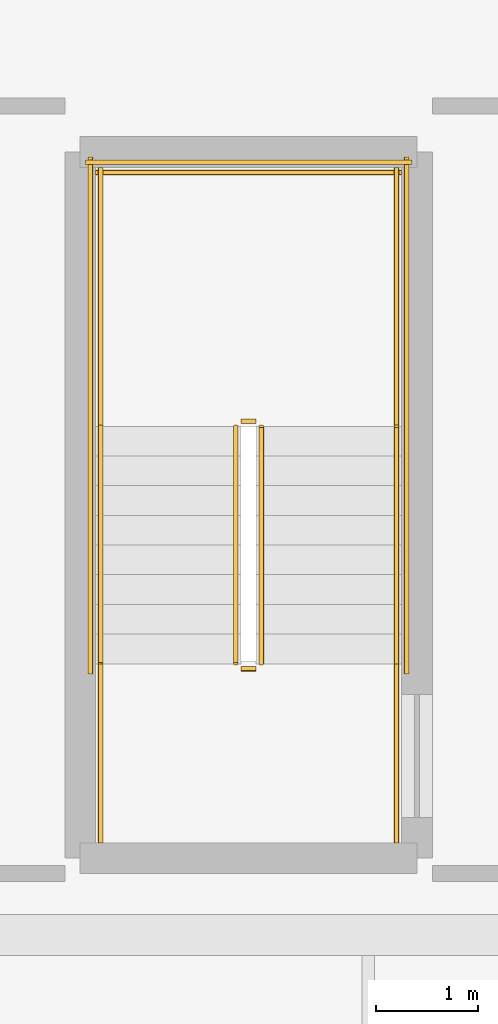
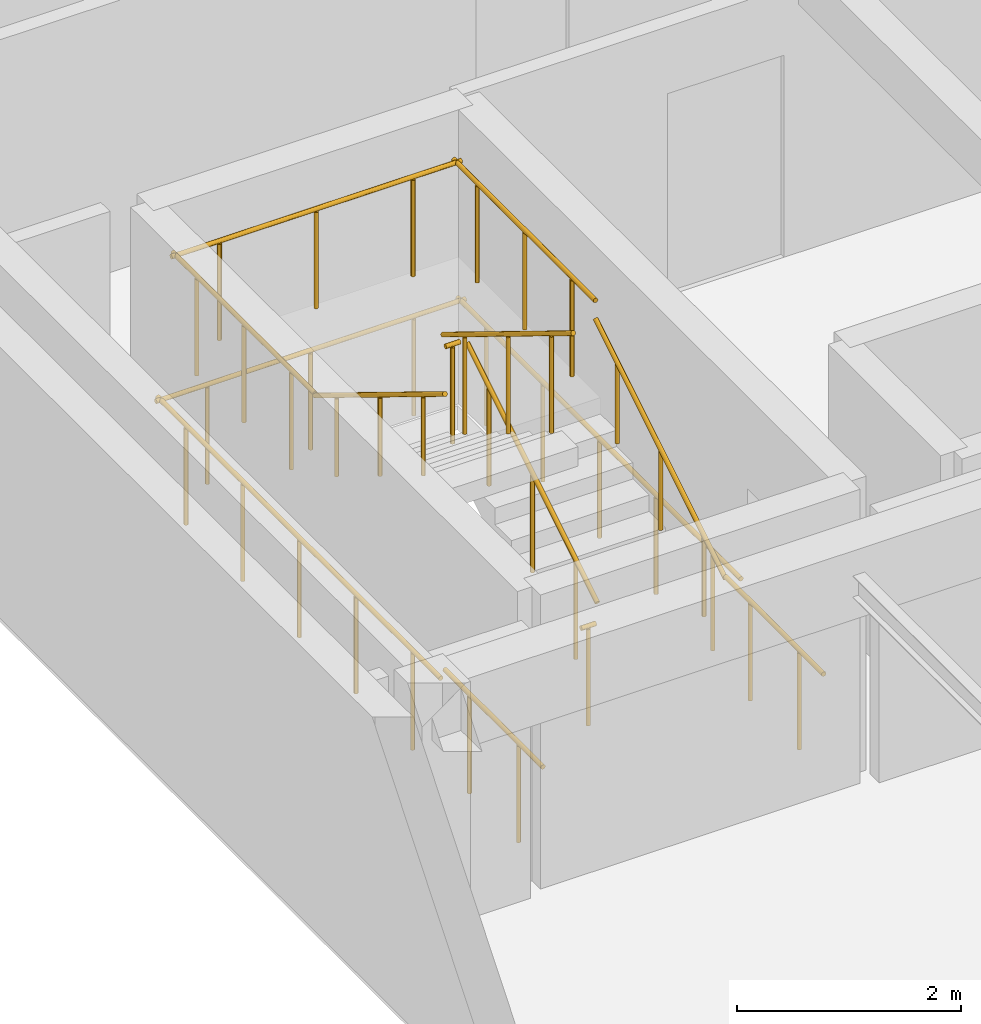
# One storey, part 69 of 89: 14 railings.
"""IFC4 building model written with IfcOpenShell, lengths in metres."""

from ifc_helpers import new_model, si_unit, direction, frame, origin, origin_2d, place, context, subcontext, project, spatial, circle, extrude, material, type_object, element, save


model = new_model("IFC4")

# Units and contexts
model_context = context("Model", 3, precision=1e-05, world=origin(), true_north=direction((0.0, 1.0)))
body_context = subcontext(model_context, "Body", "Model", "MODEL_VIEW")
ifc_project = project(units=[si_unit("LENGTHUNIT", "METRE"), si_unit("AREAUNIT", "SQUARE_METRE"), si_unit("VOLUMEUNIT", "CUBIC_METRE"), si_unit("PLANEANGLEUNIT", "RADIAN"), si_unit("MASSUNIT", "GRAM", prefix="KILO")], contexts=[model_context])

# Site, building, storey
site_placement = place(None, origin())
site = spatial("IfcSite", under=ifc_project, at=site_placement, CompositionType="ELEMENT")
building_placement = place(site_placement, origin())
building = spatial("IfcBuilding", under=site, at=building_placement, Name="Keldmere Railside Commons", CompositionType="ELEMENT")
storey_placement = place(building_placement, frame((0.0, 0.0, 7.360107421875)))
storey = spatial("IfcBuildingStorey", under=building, at=storey_placement, Name="L02", CompositionType="ELEMENT", Elevation=7.360107421875)

# Railings
ifc_material = material(Name="Steel F-24 (S235)", Category="steel")
railing_type_1 = type_object("IfcRailingType", Name="Stair Well Steel Guardrail 1100", PredefinedType="BALUSTRADE", material=ifc_material)
railing_1_placement = place(storey_placement, frame((131.679931640625, 22.050048828125, 0.177734375)))
element("IfcRailing", 1, at=railing_1_placement, inside=storey, type_object=railing_type_1, Name="L02 ST-M1 stair guard 1", PredefinedType="BALUSTRADE", context=body_context, shape_type="SweptSolid", body=[
    extrude(circle(Radius=0.02392578125, at=origin_2d()), frame((0.0, 0.0, 1.076171875), z_axis=(0.0, 0.852578041948, 0.522599925744), x_axis=(-1.0, 0.0, 0.0)), (0.0, 0.0, 1.0), 2.72119140625),
    extrude(circle(Radius=0.02099609375, at=origin_2d()), frame((0.0, 0.38671875, 0.237060546875)), (0.0, 0.0, 1.0), 1.048095703125),
    extrude(circle(Radius=0.02099609375, at=origin_2d()), frame((0.0, 1.16015625, 0.7109375)), (0.0, 0.0, 1.0), 1.048095703125),
    extrude(circle(Radius=0.02099609375, at=origin_2d()), frame((0.0, 1.933349609375, 1.18505859375)), (0.0, 0.0, 1.0), 1.048095703125),
])
railing_2_placement = place(storey_placement, frame((131.6298828125, 24.419921875, 1.599853515625)))
element("IfcRailing", 2, at=railing_2_placement, inside=storey, type_object=railing_type_1, Name="L02 ST-M1 stair guard 2", PredefinedType="BALUSTRADE", context=body_context, shape_type="SweptSolid", body=[
    extrude(circle(Radius=0.02392578125, at=origin_2d()), frame((0.0, 0.0, 1.076171875), z_axis=(-1.0, 0.0, 0.0), x_axis=(0.0, -1.0, 0.0)), (0.0, 0.0, 1.0), 0.14990234375),
    extrude(circle(Radius=0.02099609375, at=origin_2d()), frame((-0.074951171875, 0.0, 0.0)), (0.0, 0.0, 1.0), 1.048095703125),
])
for number, where, name in (
    (3, (133.0, 24.3701171875, 1.599853515625), "L02 ST-M1 stair guard 3"),
    (4, (130.110107421875, 24.3701171875, 1.599853515625), "L02 ST-M1 stair guard 4"),
):
    element("IfcRailing", number, at=place(storey_placement, frame(where)), inside=storey, type_object=railing_type_1, Name=name, PredefinedType="BALUSTRADE", context=body_context, shape_type="SweptSolid", body=[
        extrude(circle(Radius=0.02392578125, at=origin_2d()), frame((0.0, 0.0, 1.076171875), z_axis=(0.0, 1.0, 0.0), x_axis=(-1.0, 0.0, 0.0)), (0.0, 0.0, 1.0), 2.52978515625),
        extrude(circle(Radius=0.02099609375, at=origin_2d()), frame((0.0, 0.421630859375, 0.0)), (0.0, 0.0, 1.0), 1.048095703125),
        extrude(circle(Radius=0.02099609375, at=origin_2d()), frame((0.0, 1.264892578125, 0.0)), (0.0, 0.0, 1.0), 1.048095703125),
        extrude(circle(Radius=0.02099609375, at=origin_2d()), frame((0.0, 2.108154296875, 0.0)), (0.0, 0.0, 1.0), 1.048095703125),
    ])
railing_3_placement = place(storey_placement, frame((133.050048828125, 26.85009765625, 1.599853515625)))
element("IfcRailing", 5, at=railing_3_placement, inside=storey, type_object=railing_type_1, Name="L02 ST-M1 stair guard 5", PredefinedType="BALUSTRADE", context=body_context, shape_type="SweptSolid", body=[
    extrude(circle(Radius=0.02392578125, at=origin_2d()), frame((0.0, 0.0, 1.076171875), z_axis=(-1.0, 0.0, 0.0), x_axis=(0.0, -1.0, 0.0)), (0.0, 0.0, 1.0), 2.989990234375),
    extrude(circle(Radius=0.02099609375, at=origin_2d()), frame((-0.498291015625, 0.0, 0.0)), (0.0, 0.0, 1.0), 1.048095703125),
    extrude(circle(Radius=0.02099609375, at=origin_2d()), frame((-1.4951171875, 0.0, 0.0)), (0.0, 0.0, 1.0), 1.048095703125),
    extrude(circle(Radius=0.02099609375, at=origin_2d()), frame((-2.49169921875, 0.0, 0.0)), (0.0, 0.0, 1.0), 1.048095703125),
])
railing_4_placement = place(storey_placement, frame((131.429931640625, 24.3701171875, 1.777587890625)))
element("IfcRailing", 6, at=railing_4_placement, inside=storey, type_object=railing_type_1, Name="L02 ST-M1 stair guard 6", PredefinedType="BALUSTRADE", context=body_context, shape_type="SweptSolid", body=[
    extrude(circle(Radius=0.02392578125, at=origin_2d()), frame((0.0, 0.0, 1.076171875), z_axis=(0.0, -0.852538067394, 0.522665135287), x_axis=(1.0, 0.0, 0.0)), (0.0, 0.0, 1.0), 2.721435546875),
    extrude(circle(Radius=0.02099609375, at=origin_2d()), frame((0.0, -0.38671875, 0.237060546875)), (0.0, 0.0, 1.0), 1.048095703125),
    extrude(circle(Radius=0.02099609375, at=origin_2d()), frame((0.0, -1.16015625, 0.711181640625)), (0.0, 0.0, 1.0), 1.048095703125),
    extrude(circle(Radius=0.02099609375, at=origin_2d()), frame((0.0, -1.933349609375, 1.185302734375)), (0.0, 0.0, 1.0), 1.048095703125),
])
railing_5_placement = place(storey_placement, frame((131.6298828125, 22.0, 0.0)))
element("IfcRailing", 7, at=railing_5_placement, inside=storey, type_object=railing_type_1, Name="L02 ST-M1 stair guard 7", PredefinedType="BALUSTRADE", context=body_context, shape_type="SweptSolid", body=[
    extrude(circle(Radius=0.02392578125, at=origin_2d()), frame((0.0, 0.0, 1.076171875), z_axis=(-1.0, 0.0, 0.0), x_axis=(0.0, -1.0, 0.0)), (0.0, 0.0, 1.0), 0.14990234375),
    extrude(circle(Radius=0.02099609375, at=origin_2d()), frame((-0.074951171875, 0.0, 0.0)), (0.0, 0.0, 1.0), 1.048095703125),
])
for number, where, name in (
    (8, (133.0, 20.300048828125, 0.0), "L02 ST-M1 stair guard 8"),
    (9, (130.110107421875, 20.300048828125, 0.0), "L02 ST-M1 stair guard 9"),
):
    element("IfcRailing", number, at=place(storey_placement, frame(where)), inside=storey, type_object=railing_type_1, Name=name, PredefinedType="BALUSTRADE", context=body_context, shape_type="SweptSolid", body=[
        extrude(circle(Radius=0.02392578125, at=origin_2d()), frame((0.0, 0.0, 1.076171875), z_axis=(0.0, 1.0, 0.0), x_axis=(-1.0, 0.0, 0.0)), (0.0, 0.0, 1.0), 1.75),
        extrude(circle(Radius=0.02099609375, at=origin_2d()), frame((0.0, 0.4375, 0.0)), (0.0, 0.0, 1.0), 1.048095703125),
        extrude(circle(Radius=0.02099609375, at=origin_2d()), frame((0.0, 1.3125, 0.0)), (0.0, 0.0, 1.0), 1.048095703125),
    ])
for number, where, name in (
    (10, (133.10009765625, 21.949951171875, 0.0), "L02 ST-M1 stair guard 10"),
    (11, (130.010009765625, 21.949951171875, 0.0), "L02 ST-M1 stair guard 11"),
):
    element("IfcRailing", number, at=place(storey_placement, frame(where)), inside=storey, type_object=railing_type_1, Name=name, PredefinedType="BALUSTRADE", context=body_context, shape_type="SweptSolid", body=[
        extrude(circle(Radius=0.02392578125, at=origin_2d()), frame((0.0, 0.0, 1.076171875), z_axis=(0.0, 1.0, 0.0), x_axis=(-1.0, 0.0, 0.0)), (0.0, 0.0, 1.0), 5.050048828125),
        extrude(circle(Radius=0.02099609375, at=origin_2d()), frame((0.0, 0.5048828125, 0.0)), (0.0, 0.0, 1.0), 1.048095703125),
        extrude(circle(Radius=0.02099609375, at=origin_2d()), frame((0.0, 1.51513671875, 0.0)), (0.0, 0.0, 1.0), 1.048095703125),
        extrude(circle(Radius=0.02099609375, at=origin_2d()), frame((0.0, 2.52490234375, 0.0)), (0.0, 0.0, 1.0), 1.048095703125),
        extrude(circle(Radius=0.02099609375, at=origin_2d()), frame((0.0, 3.534912109375, 0.0)), (0.0, 0.0, 1.0), 1.048095703125),
        extrude(circle(Radius=0.02099609375, at=origin_2d()), frame((0.0, 4.544921875, 0.0)), (0.0, 0.0, 1.0), 1.048095703125),
    ])
railing_6_placement = place(storey_placement, frame((133.14990234375, 26.949951171875, 0.0)))
element("IfcRailing", 12, at=railing_6_placement, inside=storey, type_object=railing_type_1, Name="L02 ST-M1 stair guard 12", PredefinedType="BALUSTRADE", context=body_context, shape_type="SweptSolid", body=[
    extrude(circle(Radius=0.02392578125, at=origin_2d()), frame((0.0, 0.0, 1.076171875), z_axis=(-1.0, 0.0, 0.0), x_axis=(0.0, -1.0, 0.0)), (0.0, 0.0, 1.0), 3.18994140625),
    extrude(circle(Radius=0.02099609375, at=origin_2d()), frame((-0.53173828125, 0.0, 0.0)), (0.0, 0.0, 1.0), 1.048095703125),
    extrude(circle(Radius=0.02099609375, at=origin_2d()), frame((-1.594970703125, 0.0, 0.0)), (0.0, 0.0, 1.0), 1.048095703125),
    extrude(circle(Radius=0.02099609375, at=origin_2d()), frame((-2.658203125, 0.0, 0.0)), (0.0, 0.0, 1.0), 1.048095703125),
])
railing_type_2 = type_object("IfcRailingType", Name="Wall-Mounted Tubular Steel Handrail 900", PredefinedType="HANDRAIL", material=ifc_material)
railing_7_placement = place(storey_placement, frame((133.0, 22.050048828125, 0.177734375)))
element("IfcRailing", 13, at=railing_7_placement, inside=storey, type_object=railing_type_2, Name="L02 ST-M1 stair handrail 1", PredefinedType="HANDRAIL", context=body_context, shape_type="SweptSolid", body=[
    extrude(circle(Radius=0.02392578125, at=origin_2d()), frame((0.0, 0.0, 0.8759765625), z_axis=(0.0, 0.852578041948, 0.522599925744), x_axis=(-1.0, 0.0, 0.0)), (0.0, 0.0, 1.0), 2.72119140625),
    extrude(circle(Radius=0.02099609375, at=origin_2d()), frame((0.0, 0.38671875, 0.237060546875)), (0.0, 0.0, 1.0), 0.847900390625),
    extrude(circle(Radius=0.02099609375, at=origin_2d()), frame((0.0, 1.16015625, 0.7109375)), (0.0, 0.0, 1.0), 0.847900390625),
    extrude(circle(Radius=0.02099609375, at=origin_2d()), frame((0.0, 1.933349609375, 1.18505859375)), (0.0, 0.0, 1.0), 0.847900390625),
])
railing_8_placement = place(storey_placement, frame((130.110107421875, 24.3701171875, 1.777587890625)))
element("IfcRailing", 14, at=railing_8_placement, inside=storey, type_object=railing_type_2, Name="L02 ST-M1 stair handrail 2", PredefinedType="HANDRAIL", context=body_context, shape_type="SweptSolid", body=[
    extrude(circle(Radius=0.02392578125, at=origin_2d()), frame((0.0, 0.0, 0.8759765625), z_axis=(0.0, -0.852538067394, 0.522665135287), x_axis=(1.0, 0.0, 0.0)), (0.0, 0.0, 1.0), 2.721435546875),
    extrude(circle(Radius=0.02099609375, at=origin_2d()), frame((0.0, -0.38671875, 0.237060546875)), (0.0, 0.0, 1.0), 0.847900390625),
    extrude(circle(Radius=0.02099609375, at=origin_2d()), frame((0.0, -1.16015625, 0.711181640625)), (0.0, 0.0, 1.0), 0.847900390625),
    extrude(circle(Radius=0.02099609375, at=origin_2d()), frame((0.0, -1.933349609375, 1.185302734375)), (0.0, 0.0, 1.0), 0.847900390625),
])

save(model, "model.ifc")
